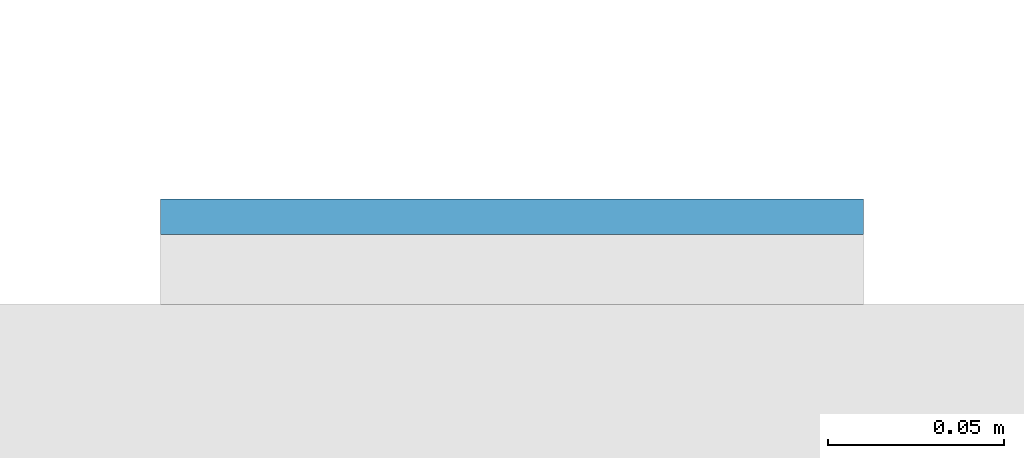
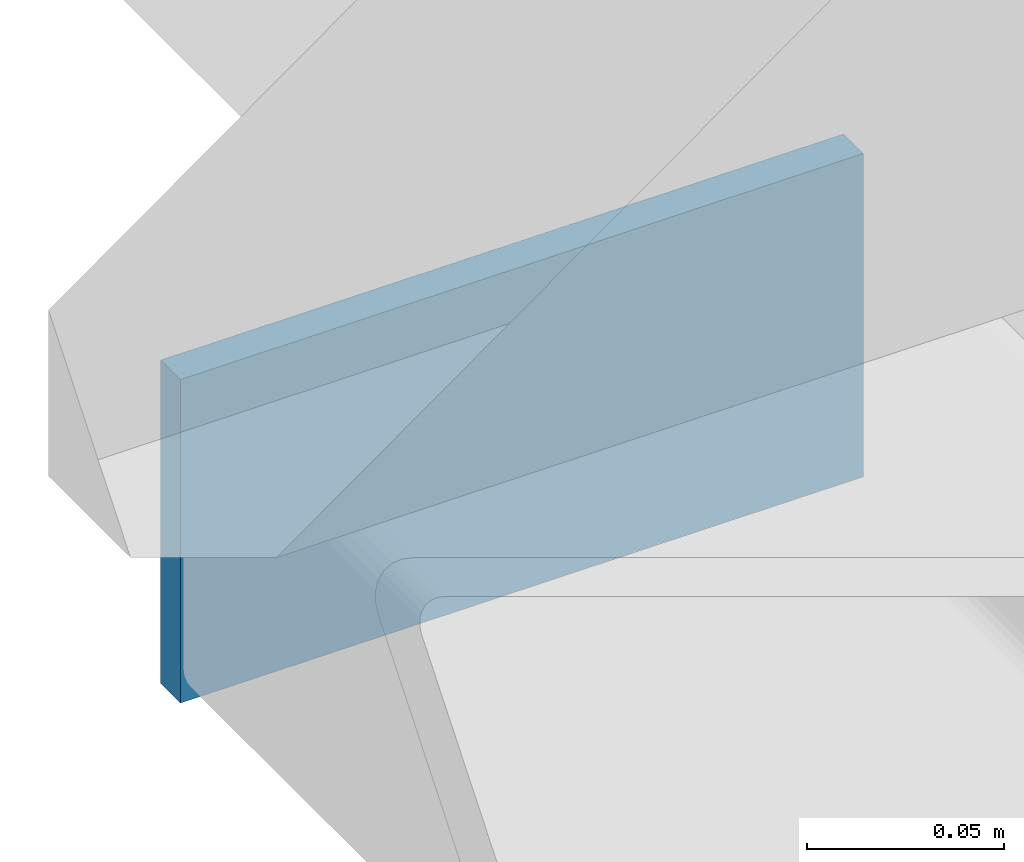
# One storey, part 9 of 20: 1 plate.
"""IFC4 building model written with IfcOpenShell, lengths in metres."""

import ifcopenshell
import ifcopenshell.guid

model = None  # the IFC model being written
_history = None  # IfcOwnerHistory: only IFC2X3 demands one
_inside = {}  # id of a spatial element -> (the spatial element, [elements in it])
_under = {}  # id of a project, library or spatial element -> (it, [spatial elements below it])
_declared = {}  # id of a project -> (the project, [libraries it declares])
_typed = {}  # id of a type object -> (the type object, [elements of that type])
_made_of = {}  # id of a material, layer set ... -> (it, [elements and type objects made of it])


def new_model(schema):
    """Start an empty IFC model of exactly this schema.

    Asked for "IFC4X3", IfcOpenShell would pick the latest addendum, in which some entities
    have other attributes; the version numbers below select the first issue.
    IFC2X3 requires an IfcOwnerHistory on every rooted entity: one is made here for all.
    """
    global model, _history
    if schema == "IFC4X3":
        model = ifcopenshell.file(schema_version=(4, 3, 0, 0))
    else:
        model = ifcopenshell.file(schema=schema)
    _inside.clear()
    _under.clear()
    _declared.clear()
    _typed.clear()
    _made_of.clear()
    _history = None
    if model.schema == "IFC2X3":
        org = make("IfcOrganization", Name="unknown")
        user = make(
            "IfcPersonAndOrganization",
            ThePerson=make("IfcPerson", FamilyName="unknown"),
            TheOrganization=org,
        )
        app = make(
            "IfcApplication",
            ApplicationDeveloper=org,
            Version="unknown",
            ApplicationFullName="unknown",
            ApplicationIdentifier="unknown",
        )
        _history = make(
            "IfcOwnerHistory",
            OwningUser=user,
            OwningApplication=app,
            ChangeAction="ADDED",
            CreationDate=0,
        )
    return model


def make(cls, **values):
    """One entity of the class cls with the attributes given. An attribute that is None is left unset."""
    return model.create_entity(
        cls, **{name: value for name, value in values.items() if value is not None}
    )


def rooted(cls, **values):
    """An entity with a GlobalId (a new one), such as an element, a storey or a relation."""
    return make(cls, GlobalId=ifcopenshell.guid.new(), OwnerHistory=_history, **values)


def si_unit(unit_type, name, prefix=None):
    """IfcSIUnit, for example si_unit("LENGTHUNIT", "METRE", prefix="MILLI")."""
    return make("IfcSIUnit", UnitType=unit_type, Prefix=prefix, Name=name)


def assignment(units):
    """IfcUnitAssignment: the units of a project."""
    return None if units is None else make("IfcUnitAssignment", Units=units)


def point(xyz):
    """IfcCartesianPoint."""
    return None if xyz is None else make("IfcCartesianPoint", Coordinates=xyz)


def direction(xyz):
    """IfcDirection."""
    return None if xyz is None else make("IfcDirection", DirectionRatios=xyz)


def frame(location, z_axis=None, x_axis=None):
    """IfcAxis2Placement3D, a coordinate frame: its origin and axes. An axis left out is left unset."""
    return make(
        "IfcAxis2Placement3D",
        Location=point(location),
        Axis=direction(z_axis),
        RefDirection=direction(x_axis),
    )


def frame_2d(location, x_axis=None):
    """IfcAxis2Placement2D, a coordinate frame in the plane: its origin and x axis."""
    return make(
        "IfcAxis2Placement2D", Location=point(location), RefDirection=direction(x_axis)
    )


def origin():
    """The frame at (0, 0, 0) with its axes left unset."""
    return frame((0.0, 0.0, 0.0))


def origin_2d():
    """The frame at (0, 0) in the plane with its x axis left unset."""
    return frame_2d((0.0, 0.0))


def place(relative_to, where):
    """IfcLocalPlacement: puts the frame where relative to a parent placement (None: the world)."""
    return make(
        "IfcLocalPlacement", PlacementRelTo=relative_to, RelativePlacement=where
    )


def context(
    kind, dimensions, precision=None, world=None, true_north=None, identifier=None
):
    """IfcGeometricRepresentationContext, for example the 3D "Model" context."""
    return make(
        "IfcGeometricRepresentationContext",
        ContextIdentifier=identifier,
        ContextType=kind,
        CoordinateSpaceDimension=dimensions,
        Precision=precision,
        WorldCoordinateSystem=world,
        TrueNorth=true_north,
    )


def subcontext(parent, identifier, kind, view, scale=None):
    """IfcGeometricRepresentationSubContext, for example "Body" below "Model"."""
    return make(
        "IfcGeometricRepresentationSubContext",
        ContextIdentifier=identifier,
        ContextType=kind,
        ParentContext=parent,
        TargetScale=scale,
        TargetView=view,
    )


def project(units=None, contexts=None):
    """IfcProject with its units and contexts."""
    return rooted(
        "IfcProject",
        Name="project",
        RepresentationContexts=contexts,
        UnitsInContext=assignment(units),
    )


def spatial(cls, under=None, at=None, **own):
    """A site, building, storey or space (cls), placed at a placement, below another one or the project."""
    s = rooted(cls, ObjectPlacement=at, **own)
    if under is not None:
        _under.setdefault(under.id(), (under, []))[1].append(s)
    return s


def profile(cls, at=None, kind="AREA", **sizes):
    """A parametric profile (cls). Its sizes go by their IFC names, for example OverallWidth=200.0."""
    return make(cls, ProfileType=kind, Position=at, **sizes)


def rectangle(**sizes):
    """IfcRectangleProfileDef."""
    return profile("IfcRectangleProfileDef", **sizes)


def extrude(swept, where, along, depth):
    """IfcExtrudedAreaSolid: the profile swept, set in the frame where, extruded along a direction by depth."""
    return make(
        "IfcExtrudedAreaSolid",
        SweptArea=swept,
        Position=where,
        ExtrudedDirection=direction(along),
        Depth=depth,
    )


def shape(context_of_items, identifier, shape_type, items):
    """IfcShapeRepresentation: the items that make up one representation, for example the "Body"."""
    return make(
        "IfcShapeRepresentation",
        ContextOfItems=context_of_items,
        RepresentationIdentifier=identifier,
        RepresentationType=shape_type,
        Items=items,
    )


def material(Name=None, Category=None):
    """IfcMaterial."""
    return make("IfcMaterial", Name=Name, Category=Category)


def layer(
    of_material, thickness, ventilated=None, Name=None, Category=None, Priority=None
):
    """IfcMaterialLayer: one layer of a wall or slab, of a material (None: an air gap)."""
    return make(
        "IfcMaterialLayer",
        Material=of_material,
        LayerThickness=thickness,
        IsVentilated=ventilated,
        Name=Name,
        Category=Category,
        Priority=Priority,
    )


def layer_set(layers, Name=None):
    """IfcMaterialLayerSet."""
    return make("IfcMaterialLayerSet", MaterialLayers=layers, LayerSetName=Name)


def made_of(thing, what):
    """Note that an element or type object is made of a material, layer set ...; save() writes the relation."""
    if what is not None:
        _made_of.setdefault(what.id(), (what, []))[1].append(thing)
    return thing


def type_object(cls, material=None, **own):
    """A type object (cls), such as IfcWallType, which elements share."""
    return made_of(rooted(cls, **own), material)


def element(
    cls,
    number,
    at=None,
    inside=None,
    cuts=None,
    type_object=None,
    material=None,
    context=None,
    identifier="Body",
    shape_type=None,
    held_by="IfcProductDefinitionShape",
    body=None,
    shapes=None,
    **own,
):
    """One element of the class cls, such as IfcWall. Its Tag is "e" and its number.

    at: its placement. inside: the storey or other place that contains it. cuts: it is an
    opening in that element (IfcRelVoidsElement). A single representation is given by context,
    identifier, shape_type and body (its items); several are given by shapes. held_by: the class
    of the entity that holds the representations. save() writes the other relations.
    """
    e = rooted(cls, Tag="e%d" % number, ObjectPlacement=at, **own)
    if body is not None:
        shapes = [shape(context, identifier, shape_type, body)]
    if shapes is not None:
        e.Representation = make(held_by, Representations=shapes)
    if inside is not None:
        _inside.setdefault(inside.id(), (inside, []))[1].append(e)
    if cuts is not None:
        rooted(
            "IfcRelVoidsElement", RelatingBuildingElement=cuts, RelatedOpeningElement=e
        )
    if type_object is not None:
        _typed.setdefault(type_object.id(), (type_object, []))[1].append(e)
    return made_of(e, material)


def aggregate(whole, parts):
    """IfcRelAggregates: a whole, such as a stair, and the parts it consists of."""
    return rooted("IfcRelAggregates", RelatingObject=whole, RelatedObjects=parts)


def save(model, path):
    """Write the relations noted so far, then the file.

    IfcRelAggregates (storeys below a building ...), IfcRelContainedInSpatialStructure (elements
    in a storey), IfcRelDefinesByType, IfcRelAssociatesMaterial and IfcRelDeclares: one each for
    every whole, place, type object, material and project.
    """
    for whole, parts in _under.values():
        aggregate(whole, parts)
    for where, things in _inside.values():
        rooted(
            "IfcRelContainedInSpatialStructure",
            RelatedElements=things,
            RelatingStructure=where,
        )
    for kind, things in _typed.values():
        rooted("IfcRelDefinesByType", RelatedObjects=things, RelatingType=kind)
    for what, things in _made_of.values():
        rooted("IfcRelAssociatesMaterial", RelatedObjects=things, RelatingMaterial=what)
    for by, libraries in _declared.values():
        rooted("IfcRelDeclares", RelatingContext=by, RelatedDefinitions=libraries)
    model.write(path)


model = new_model("IFC4")

# Units and contexts
model_context = context("Model", 3, precision=1e-05, world=origin(), true_north=direction((0.0, 1.0)))
body_context = subcontext(model_context, "Body", "Model", "MODEL_VIEW")
ifc_project = project(units=[si_unit("LENGTHUNIT", "METRE"), si_unit("AREAUNIT", "SQUARE_METRE"), si_unit("VOLUMEUNIT", "CUBIC_METRE"), si_unit("PLANEANGLEUNIT", "RADIAN"), si_unit("MASSUNIT", "GRAM", prefix="KILO")], contexts=[model_context])

# Site, building, storey
site_placement = place(None, origin())
site = spatial("IfcSite", under=ifc_project, at=site_placement, CompositionType="ELEMENT")
building_placement = place(site_placement, origin())
building = spatial("IfcBuilding", under=site, at=building_placement, Name="Cleftline Residences", CompositionType="ELEMENT")
storey_placement = place(building_placement, frame((0.0, 0.0, 207.39990234375)))
storey = spatial("IfcBuildingStorey", under=building, at=storey_placement, Name="L54", CompositionType="ELEMENT", Elevation=207.39990234375)

# Plate
ifc_material = material(Name="Steel S355, hot-dip galvanised", Category="steel")
ifc_layer = layer(ifc_material, 0.010009765625)
ifc_layer_set = layer_set([ifc_layer], Name="BAGUETTE CARRIER END PLATE 200X100X10")
plate_type = type_object("IfcPlateType", Name="BAGUETTE CARRIER END PLATE 200X100X10", PredefinedType="USERDEFINED", material=ifc_layer_set)
plate_placement = place(storey_placement, frame((-0.85009765625, 44.304931640625, -0.099853515625), z_axis=(0.0, 0.0, 1.0), x_axis=(-1.0, 0.0, 0.0)))
element("IfcPlate", 1, at=plate_placement, inside=storey, type_object=plate_type, Name="Baguette carrier end plate", ObjectType="BAGUETTE CARRIER END PLATE", PredefinedType="USERDEFINED", context=body_context, shape_type="SweptSolid", body=[
    extrude(rectangle(XDim=0.199951171875, YDim=0.010009765625, at=origin_2d()), origin(), (0.0, 0.0, 1.0), 0.10009765625),
])

save(model, "model.ifc")
